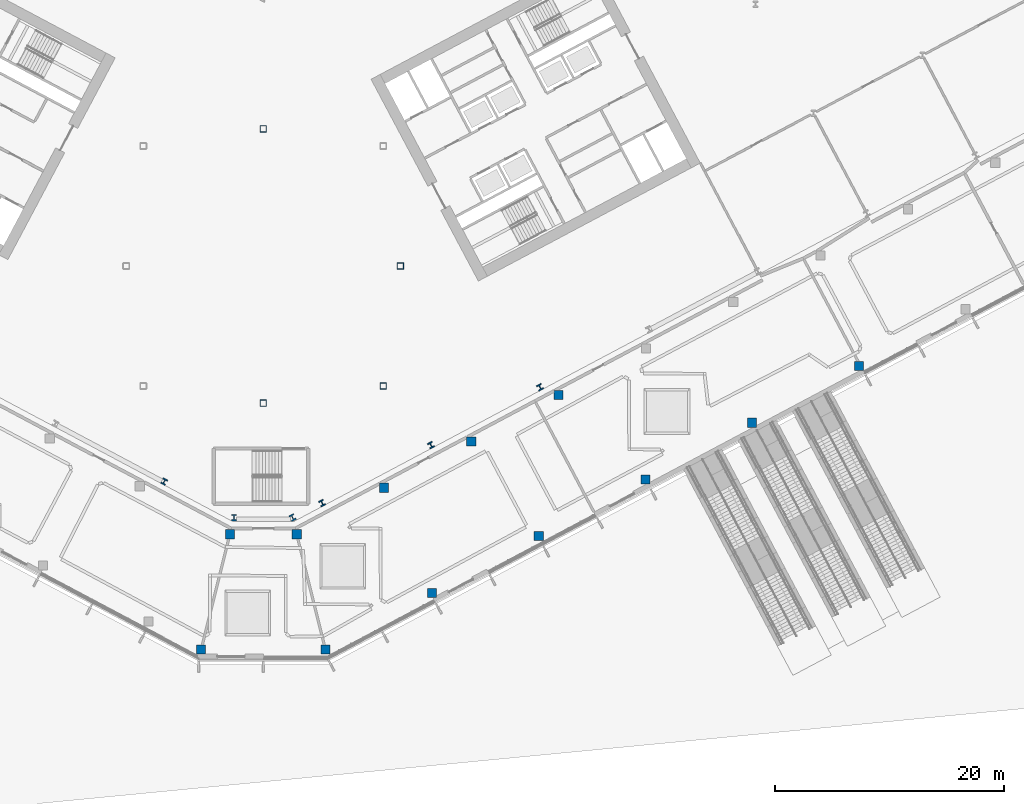
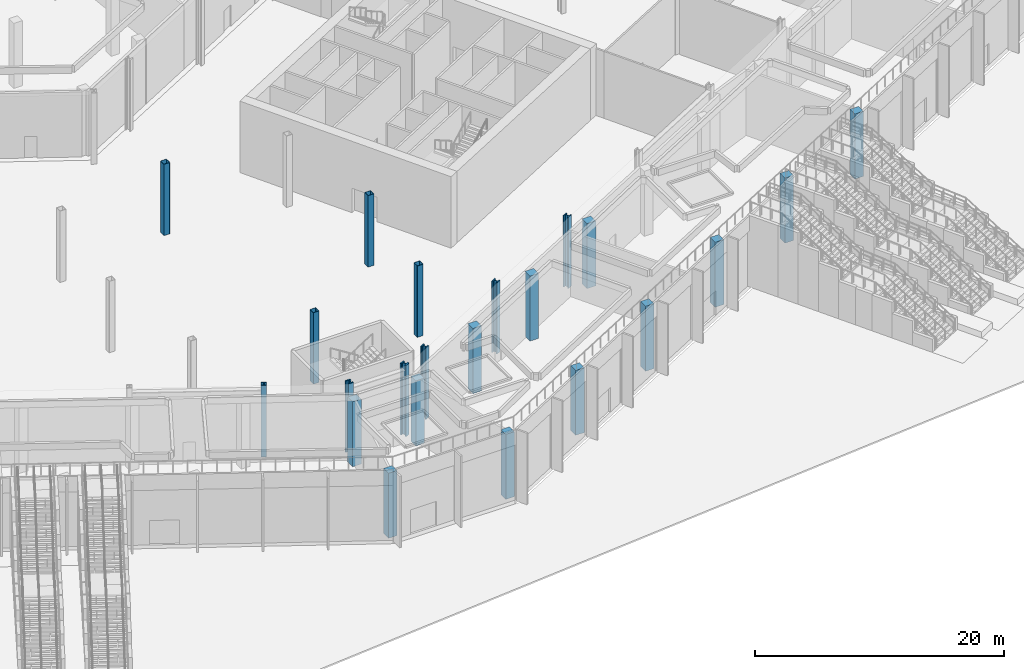
# One storey, part 3 of 57: 22 columns.
"""IFC4 building model written with IfcOpenShell, lengths in metres."""

from ifc_helpers import new_model, si_unit, direction, frame, origin, origin_2d, place, context, subcontext, project, spatial, rectangle, hollow_rectangle, i_section, extrude, material, material_profile, profile_set, type_object, element, save


model = new_model("IFC4")

# Units and contexts
model_context = context("Model", 3, precision=1e-05, world=origin(), true_north=direction((0.0, 1.0)))
body_context = subcontext(model_context, "Body", "Model", "MODEL_VIEW")
ifc_project = project(units=[si_unit("LENGTHUNIT", "METRE"), si_unit("AREAUNIT", "SQUARE_METRE"), si_unit("VOLUMEUNIT", "CUBIC_METRE"), si_unit("PLANEANGLEUNIT", "RADIAN"), si_unit("MASSUNIT", "GRAM", prefix="KILO")], contexts=[model_context])

# Site, building, storey
site_placement = place(None, origin())
site = spatial("IfcSite", under=ifc_project, at=site_placement, CompositionType="ELEMENT")
building_placement = place(site_placement, origin())
building = spatial("IfcBuilding", under=site, at=building_placement, Name="Cormorant Relay Tower", CompositionType="ELEMENT")
storey_placement = place(building_placement, origin())
storey = spatial("IfcBuildingStorey", under=building, at=storey_placement, Name="L00", CompositionType="ELEMENT", Elevation=0.0)

# Columns
ifc_material_1 = material(Name="Concrete 50 MPa", Category="concrete")
ifc_material_profile_1 = material_profile(ifc_material_1, rectangle(XDim=0.800048828125, YDim=0.800048828125, at=origin_2d()), Name="RC 800x800")
ifc_profile_set_1 = profile_set([ifc_material_profile_1], Name="Concrete 50 MPa")
column_type_1 = type_object("IfcColumnType", Name="Base column 800 x 800", PredefinedType="COLUMN", material=ifc_profile_set_1)
for number, where, z_axis, x_axis, name in (
    (1, (-5.44091796875, -33.575927734375, 0.0), (0.0, 0.0, 1.0), (1.0, 0.0, 0.0), "Base column"),
    (2, (5.44091796875, -33.575927734375, 0.0), (0.0, 0.0, 1.0), (1.0, 0.0, 0.0), "Base column"),
    (3, (14.778076171875, -28.611083984375, 0.0), (0.0, 0.0, 1.0), (1.0, 0.0, 0.0), "Base column"),
    (4, (24.114990234375, -23.64697265625, 0.0), (0.0, 0.0, 1.0), (1.0, 0.0, 0.0), "Base column"),
    (5, (-2.923095703125, -23.47607421875, 0.0), (0.0, 0.0, 1.0), (1.0, 0.0, 0.0), "Base column"),
    (6, (2.923095703125, -23.47607421875, 0.0), (0.0, 0.0, 1.0), (1.0, 0.0, 0.0), "Base column"),
    (7, (10.56494140625, -19.412109375, 0.0), (0.0, 0.0, 1.0), (1.0, 0.0, 0.0), "Base column"),
    (8, (33.451904296875, -18.681884765625, 0.0), (0.0, 0.0, 1.0), (1.0, 0.0, 0.0), "Base column"),
    (9, (18.20703125, -15.34912109375, 0.0), (0.0, 0.0, 1.0), (1.0, 0.0, 0.0), "Base column"),
    (10, (42.7890625, -13.717041015625, 0.0), (0.0, 0.0, 1.0), (1.0, 0.0, 0.0), "Base column"),
    (11, (25.84912109375, -11.285888671875, 0.0), (0.0, 0.0, 1.0), (1.0, 0.0, 0.0), "Base column"),
    (12, (52.1259765625, -8.7529296875, 0.0), (0.0, 0.0, 1.0), (1.0, 0.0, 0.0), "Base column"),
):
    element("IfcColumn", number, at=place(storey_placement, frame(where, z_axis=z_axis, x_axis=x_axis)), inside=storey, type_object=column_type_1, Name=name, PredefinedType="COLUMN", context=body_context, shape_type="SweptSolid", body=[
        extrude(rectangle(XDim=0.800048828125, YDim=0.800048828125, at=origin_2d()), origin(), (0.0, 0.0, 1.0), 6.3701171875),
    ])
ifc_material_2 = material(Name="Steel ASTM A1085 Grade A (Fy 345 MPa)", Category="steel")
ifc_material_profile_2 = material_profile(ifc_material_2, hollow_rectangle(XDim=0.558837890625, YDim=0.558837890625, WallThickness=0.023681640625, InnerFilletRadius=0.01171875, OuterFilletRadius=0.035400390625, at=origin_2d()), Name="HSS559x559x24")
ifc_profile_set_2 = profile_set([ifc_material_profile_2], Name="Steel ASTM A1085 Grade A (Fy 345 MPa)")
column_type_2 = type_object("IfcColumnType", Name="Column HSS559x559x24", PredefinedType="COLUMN", material=ifc_profile_set_2)
for number, where, z_axis, x_axis, name in (
    (13, (0.0, -12.0, 0.0), (0.0, 0.0, 1.0), (1.0, 0.0, 0.0), "Column L00-007"),
    (14, (10.5, -10.5, 0.0), (0.0, 0.0, 1.0), (1.0, 0.0, 0.0), "Column L00-010"),
    (15, (12.0, 0.0, 0.0), (0.0, 0.0, 1.0), (1.0, 0.0, 0.0), "Column L00-016"),
    (16, (0.0, 12.0, 0.0), (0.0, 0.0, 1.0), (1.0, 0.0, 0.0), "Column L00-024"),
):
    element("IfcColumn", number, at=place(storey_placement, frame(where, z_axis=z_axis, x_axis=x_axis)), inside=storey, type_object=column_type_2, Name=name, PredefinedType="COLUMN", context=body_context, shape_type="SweptSolid", body=[
        extrude(hollow_rectangle(XDim=0.558837890625, YDim=0.558837890625, WallThickness=0.023681640625, InnerFilletRadius=0.01171875, OuterFilletRadius=0.035400390625, at=origin_2d()), origin(), (0.0, 0.0, 1.0), 7.0),
    ])
ifc_material_3 = material(Name="Steel ASTM A992 (Fy 345 MPa)", Category="steel")
ifc_material_profile_3 = material_profile(ifc_material_3, i_section(OverallWidth=0.45458984375, OverallDepth=0.569091796875, WebThickness=0.077880859375, FlangeThickness=0.124755859375, FilletRadius=0.015380859375, at=origin_2d()), Name="W360x1086")
ifc_profile_set_3 = profile_set([ifc_material_profile_3], Name="Steel ASTM A992 (Fy 345 MPa)")
column_type_3 = type_object("IfcColumnType", Name="Column W360x1086", PredefinedType="COLUMN", material=ifc_profile_set_3)
for number, where, z_axis, x_axis, name in (
    (17, (-2.55908203125, -22.01708984375, 0.0), (0.0, 0.0, 1.0), (1.0, 0.0, 0.0), "Column L00-001"),
    (18, (2.55908203125, -22.01708984375, 0.0), (0.0, 0.0, 1.0), (0.882947592859, 0.469471562786, 0.0), "Column L00-002"),
):
    element("IfcColumn", number, at=place(storey_placement, frame(where, z_axis=z_axis, x_axis=x_axis)), inside=storey, type_object=column_type_3, Name=name, PredefinedType="COLUMN", context=body_context, shape_type="SweptSolid", body=[
        extrude(i_section(OverallWidth=0.45458984375, OverallDepth=0.569091796875, WebThickness=0.077880859375, FlangeThickness=0.124755859375, FilletRadius=0.015380859375, at=origin_2d()), origin(), (0.0, 0.0, 1.0), 7.0),
    ])
ifc_material_4 = material(Name="Steel ASTM A992 (Fy 345 MPa)", Category="steel")
ifc_material_profile_4 = material_profile(ifc_material_4, i_section(OverallWidth=0.43701171875, OverallDepth=0.51318359375, WebThickness=0.060546875, FlangeThickness=0.096923828125, FilletRadius=0.015380859375, at=origin_2d()), Name="W360x818")
ifc_profile_set_4 = profile_set([ifc_material_profile_4], Name="Steel ASTM A992 (Fy 345 MPa)")
column_type_4 = type_object("IfcColumnType", Name="Column W360x818", PredefinedType="COLUMN", material=ifc_profile_set_4)
for number, where, z_axis, x_axis, name in (
    (19, (5.14599609375, -20.75390625, 0.0), (0.0, 0.0, 1.0), (0.882947592859, 0.469471562786, 0.0), "Column L00-003"),
    (20, (-8.677001953125, -18.8759765625, 0.0), (0.0, 0.0, 1.0), (0.882947592859, -0.469471562786, 0.0), "Column L00-004"),
    (21, (14.680908203125, -15.68310546875, 0.0), (0.0, 0.0, 1.0), (0.882947592859, 0.469471562786, 0.0), "Column L00-005"),
    (22, (24.217041015625, -10.613037109375, 0.0), (0.0, 0.0, 1.0), (0.882947592859, 0.469471562786, 0.0), "Column L00-008"),
):
    element("IfcColumn", number, at=place(storey_placement, frame(where, z_axis=z_axis, x_axis=x_axis)), inside=storey, type_object=column_type_4, Name=name, PredefinedType="COLUMN", context=body_context, shape_type="SweptSolid", body=[
        extrude(i_section(OverallWidth=0.43701171875, OverallDepth=0.51318359375, WebThickness=0.060546875, FlangeThickness=0.096923828125, FilletRadius=0.015380859375, at=origin_2d()), origin(), (0.0, 0.0, 1.0), 7.0),
    ])

save(model, "model.ifc")
